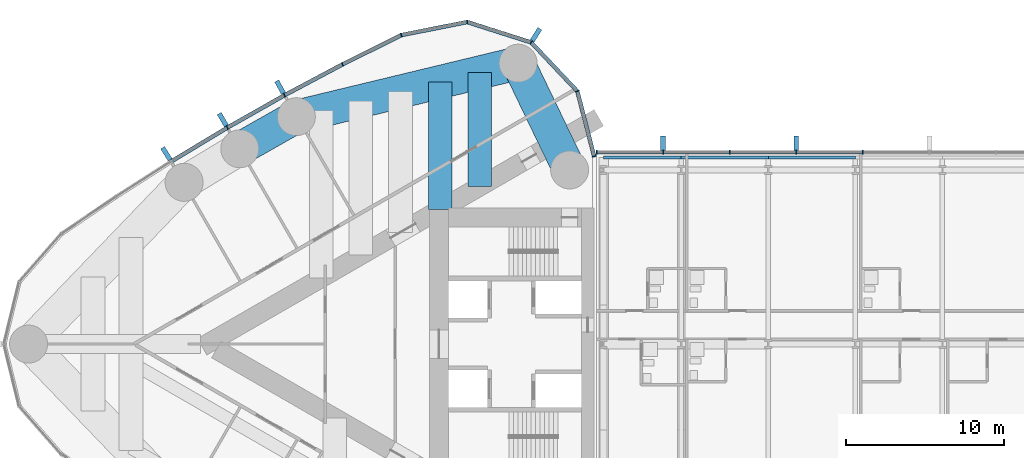
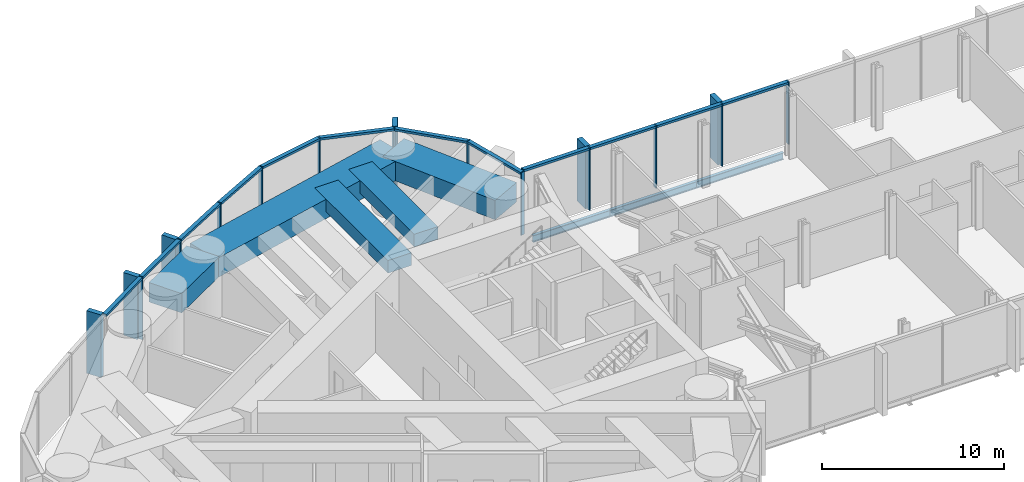
# One storey, part 6 of 23: 31 members, 8 beams, 2 elements without a shape of their own.
"""IFC4 building model written with IfcOpenShell, lengths in metres."""

from ifc_helpers import new_model, si_unit, direction, frame, origin, origin_2d, place, context, subcontext, project, spatial, rectangle, i_section, extrude, material, material_profile, profile_set, type_object, element, aggregate, save


model = new_model("IFC4")

# Units and contexts
model_context = context("Model", 3, precision=1e-05, world=origin(), true_north=direction((0.0, 1.0)))
body_context = subcontext(model_context, "Body", "Model", "MODEL_VIEW")
ifc_project = project(units=[si_unit("LENGTHUNIT", "METRE"), si_unit("AREAUNIT", "SQUARE_METRE"), si_unit("VOLUMEUNIT", "CUBIC_METRE"), si_unit("PLANEANGLEUNIT", "RADIAN"), si_unit("MASSUNIT", "GRAM", prefix="KILO")], contexts=[model_context])

# Site, building, storey
site_placement = place(None, origin())
site = spatial("IfcSite", under=ifc_project, at=site_placement, CompositionType="ELEMENT")
building_placement = place(site_placement, origin())
building = spatial("IfcBuilding", under=site, at=building_placement, Name="Lancet Gate Hotel", CompositionType="ELEMENT")
storey_placement = place(building_placement, frame((0.0, 0.0, 247.699951171875)))
storey = spatial("IfcBuildingStorey", under=building, at=storey_placement, Name="L66", CompositionType="ELEMENT", Elevation=247.699951171875)

# Curtain wall, members
ifc_material_1 = material(Name="Aluminium curtain wall", Category="aluminium")
curtain_wall_type = type_object("IfcCurtainWallType", Name="Sky deck full-height glazing", PredefinedType="USERDEFINED", material=ifc_material_1)
curtain_wall_1_placement = place(storey_placement, origin())
curtain_wall_1 = element("IfcCurtainWall", 1, at=curtain_wall_1_placement, inside=storey, type_object=curtain_wall_type, Name="T1 L66 curtain wall 1", ObjectType="UNITISED CURTAIN WALL", PredefinedType="USERDEFINED")
ifc_material_2 = material(Name="Aluminium mullion", Category="aluminium")
ifc_material_profile_1 = material_profile(ifc_material_2, rectangle(XDim=0.06494140625, YDim=0.25, at=origin_2d()), Name="MULLION 65x250")
ifc_profile_set_1 = profile_set([ifc_material_profile_1], Name="Aluminium mullion")
member_type_1 = type_object("IfcMemberType", Name="Aluminium mullion 65x250", PredefinedType="MULLION", material=ifc_profile_set_1)
member_1_placement = place(storey_placement, frame((-27.5, 11.861572265625, 0.0), z_axis=(0.0, 0.0, 1.0), x_axis=(-0.249725827997, 0.968316586056, 0.0)))
member_1 = element("IfcMember", 2, at=member_1_placement, type_object=member_type_1, Name="T1 L66 curtain wall 1 mullion 1", PredefinedType="MULLION", context=body_context, shape_type="SweptSolid", body=[
    extrude(rectangle(XDim=0.06494140625, YDim=0.25, at=origin_2d()), origin(), (0.0, 0.0, 1.0), 4.199951171875),
])
member_2_placement = place(storey_placement, frame((-28.56005859375, 15.97216796875, 0.0), z_axis=(0.0, 0.0, 1.0), x_axis=(-0.483627322447, 0.875274021654, 0.0)))
member_2 = element("IfcMember", 3, at=member_2_placement, type_object=member_type_1, Name="T1 L66 curtain wall 1 mullion 2", PredefinedType="MULLION", context=body_context, shape_type="SweptSolid", body=[
    extrude(rectangle(XDim=0.06494140625, YDim=0.25, at=origin_2d()), origin(), (0.0, 0.0, 1.0), 4.199951171875),
])
member_3_placement = place(storey_placement, frame((-31.476318359375, 19.0576171875, 0.0), z_axis=(0.0, 0.0, 1.0), x_axis=(-0.846612863, 0.532209225966, 0.0)))
member_3 = element("IfcMember", 4, at=member_3_placement, type_object=member_type_1, Name="T1 L66 curtain wall 1 mullion 3", PredefinedType="MULLION", context=body_context, shape_type="SweptSolid", body=[
    extrude(rectangle(XDim=0.06494140625, YDim=0.25, at=origin_2d()), origin(), (0.0, 0.0, 1.0), 4.199951171875),
])
member_4_placement = place(storey_placement, frame((-35.520751953125, 20.347900390625, 0.0), z_axis=(0.0, 0.0, 1.0), x_axis=(-0.998409168318, 0.056383797491, 0.0)))
member_4 = element("IfcMember", 5, at=member_4_placement, type_object=member_type_1, Name="T1 L66 curtain wall 1 mullion 4", PredefinedType="MULLION", context=body_context, shape_type="SweptSolid", body=[
    extrude(rectangle(XDim=0.06494140625, YDim=0.25, at=origin_2d()), origin(), (0.0, 0.0, 1.0), 4.199951171875),
])
member_5_placement = place(storey_placement, frame((-39.684814453125, 19.521240234375, 0.0), z_axis=(0.0, 0.0, 1.0), x_axis=(-0.946887706423, -0.321564412561, 0.0)))
member_5 = element("IfcMember", 6, at=member_5_placement, type_object=member_type_1, Name="T1 L66 curtain wall 1 mullion 5", PredefinedType="MULLION", context=body_context, shape_type="SweptSolid", body=[
    extrude(rectangle(XDim=0.06494140625, YDim=0.25, at=origin_2d()), origin(), (0.0, 0.0, 1.0), 4.199951171875),
])
member_6_placement = place(storey_placement, frame((-43.3994140625, 17.67236328125, 0.0), z_axis=(0.0, 0.0, 1.0), x_axis=(-0.889155526065, -0.457605125046, 0.0)))
member_6 = element("IfcMember", 7, at=member_6_placement, type_object=member_type_1, Name="T1 L66 curtain wall 1 mullion 6", PredefinedType="MULLION", context=body_context, shape_type="SweptSolid", body=[
    extrude(rectangle(XDim=0.06494140625, YDim=0.25, at=origin_2d()), origin(), (0.0, 0.0, 1.0), 4.199951171875),
])
member_7_placement = place(storey_placement, frame((-47.062744140625, 15.72412109375, 0.0), z_axis=(0.0, 0.0, 1.0), x_axis=(-0.876516407283, -0.481371984815, 0.0)))
member_7 = element("IfcMember", 8, at=member_7_placement, type_object=member_type_1, Name="T1 L66 curtain wall 1 mullion 7", PredefinedType="MULLION", context=body_context, shape_type="SweptSolid", body=[
    extrude(rectangle(XDim=0.06494140625, YDim=0.25, at=origin_2d()), origin(), (0.0, 0.0, 1.0), 4.199951171875),
])
member_8_placement = place(storey_placement, frame((-50.67236328125, 13.677978515625, 0.0), z_axis=(0.0, 0.0, 1.0), x_axis=(-0.863242155108, -0.504790037189, 0.0)))
member_8 = element("IfcMember", 9, at=member_8_placement, type_object=member_type_1, Name="T1 L66 curtain wall 1 mullion 8", PredefinedType="MULLION", context=body_context, shape_type="SweptSolid", body=[
    extrude(rectangle(XDim=0.06494140625, YDim=0.25, at=origin_2d()), origin(), (0.0, 0.0, 1.0), 4.199951171875),
])

curtain_wall_2_placement = place(storey_placement, origin())
curtain_wall_2 = element("IfcCurtainWall", 10, at=curtain_wall_2_placement, inside=storey, type_object=curtain_wall_type, Name="Bridge block L66 curtain wall N", ObjectType="UNITISED CURTAIN WALL", PredefinedType="USERDEFINED")
member_9_placement = place(storey_placement, frame((-10.519287109375, 12.1201171875, 0.0), z_axis=(0.0, 0.0, 1.0), x_axis=(-1.0, 0.0, 0.0)))
member_9 = element("IfcMember", 11, at=member_9_placement, type_object=member_type_1, Name="Bridge block L66 curtain wall N mullion 10", PredefinedType="MULLION", context=body_context, shape_type="SweptSolid", body=[
    extrude(rectangle(XDim=0.06494140625, YDim=0.25, at=origin_2d()), origin(), (0.0, 0.0, 1.0), 4.199951171875),
])
member_10_placement = place(storey_placement, frame((-14.726806640625, 12.1201171875, 0.0), z_axis=(0.0, 0.0, 1.0), x_axis=(-1.0, 0.0, 0.0)))
member_10 = element("IfcMember", 12, at=member_10_placement, type_object=member_type_1, Name="Bridge block L66 curtain wall N mullion 11", PredefinedType="MULLION", context=body_context, shape_type="SweptSolid", body=[
    extrude(rectangle(XDim=0.06494140625, YDim=0.25, at=origin_2d()), origin(), (0.0, 0.0, 1.0), 4.199951171875),
])
member_11_placement = place(storey_placement, frame((-18.9345703125, 12.1201171875, 0.0), z_axis=(0.0, 0.0, 1.0), x_axis=(-1.0, 0.0, 0.0)))
member_11 = element("IfcMember", 13, at=member_11_placement, type_object=member_type_1, Name="Bridge block L66 curtain wall N mullion 12", PredefinedType="MULLION", context=body_context, shape_type="SweptSolid", body=[
    extrude(rectangle(XDim=0.06494140625, YDim=0.25, at=origin_2d()), origin(), (0.0, 0.0, 1.0), 4.199951171875),
])
member_12_placement = place(storey_placement, frame((-23.142333984375, 12.1201171875, 0.0), z_axis=(0.0, 0.0, 1.0), x_axis=(-1.0, 0.0, 0.0)))
member_12 = element("IfcMember", 14, at=member_12_placement, type_object=member_type_1, Name="Bridge block L66 curtain wall N mullion 13", PredefinedType="MULLION", context=body_context, shape_type="SweptSolid", body=[
    extrude(rectangle(XDim=0.06494140625, YDim=0.25, at=origin_2d()), origin(), (0.0, 0.0, 1.0), 4.199951171875),
])
member_13_placement = place(storey_placement, frame((-27.35009765625, 12.1201171875, 0.0), z_axis=(0.0, 0.0, 1.0), x_axis=(-1.0, 0.0, 0.0)))
member_13 = element("IfcMember", 15, at=member_13_placement, type_object=member_type_1, Name="Bridge block L66 curtain wall N mullion 14", PredefinedType="MULLION", context=body_context, shape_type="SweptSolid", body=[
    extrude(rectangle(XDim=0.06494140625, YDim=0.25, at=origin_2d()), origin(), (0.0, 0.0, 1.0), 4.199951171875),
])

# Member
ifc_material_3 = material(Name="Aluminium transom", Category="aluminium")
ifc_material_profile_2 = material_profile(ifc_material_3, rectangle(XDim=0.25, YDim=0.14990234375, at=origin_2d()), Name="TRANSOM 250x150")
ifc_profile_set_2 = profile_set([ifc_material_profile_2], Name="Aluminium transom")
member_type_2 = type_object("IfcMemberType", Name="Aluminium transom 250x150", PredefinedType="USERDEFINED", material=ifc_profile_set_2)
member_14_placement = place(storey_placement, frame((-27.508056640625, 11.892822265625, 4.125), z_axis=(-0.249715522936, 0.968319243641, 0.0), x_axis=(-0.968319243641, -0.249715522936, 0.0)))
member_14 = element("IfcMember", 16, at=member_14_placement, type_object=member_type_2, Name="T1 L66 curtain wall 1 transom 1", ObjectType="TRANSOM", PredefinedType="USERDEFINED", context=body_context, shape_type="SweptSolid", body=[
    extrude(rectangle(XDim=0.25, YDim=0.14990234375, at=origin_2d()), origin(), (0.0, 0.0, 1.0), 4.180419921875),
])

member_15_placement = place(storey_placement, frame((-28.58251953125, 15.995849609375, 4.125), z_axis=(-0.686880731091, 0.726770157103, 0.0), x_axis=(-0.726770157103, -0.686880731091, 0.0)))
member_15 = element("IfcMember", 17, at=member_15_placement, type_object=member_type_2, Name="T1 L66 curtain wall 1 transom 2", ObjectType="TRANSOM", PredefinedType="USERDEFINED", context=body_context, shape_type="SweptSolid", body=[
    extrude(rectangle(XDim=0.25, YDim=0.14990234375, at=origin_2d()), origin(), (0.0, 0.0, 1.0), 4.18017578125),
])

member_16_placement = place(storey_placement, frame((-31.507080078125, 19.067626953125, 4.125), z_axis=(-0.952697713775, 0.303919506068, 0.0), x_axis=(-0.303919506068, -0.952697713775, 0.0)))
member_16 = element("IfcMember", 18, at=member_16_placement, type_object=member_type_2, Name="T1 L66 curtain wall 1 transom 3", ObjectType="TRANSOM", PredefinedType="USERDEFINED", context=body_context, shape_type="SweptSolid", body=[
    extrude(rectangle(XDim=0.25, YDim=0.14990234375, at=origin_2d()), origin(), (0.0, 0.0, 1.0), 4.180419921875),
])

member_17_placement = place(storey_placement, frame((-35.552734375, 20.341552734375, 4.125), z_axis=(-0.980858234867, -0.194723196085, 0.0), x_axis=(0.194723196085, -0.980858234867, 0.0)))
member_17 = element("IfcMember", 19, at=member_17_placement, type_object=member_type_2, Name="T1 L66 curtain wall 1 transom 4", ObjectType="TRANSOM", PredefinedType="USERDEFINED", context=body_context, shape_type="SweptSolid", body=[
    extrude(rectangle(XDim=0.25, YDim=0.14990234375, at=origin_2d()), origin(), (0.0, 0.0, 1.0), 4.18017578125),
])

member_18_placement = place(storey_placement, frame((-39.7138671875, 19.5068359375, 4.125), z_axis=(-0.895226720479, -0.445610950202, 0.0), x_axis=(0.445610950202, -0.895226720479, 0.0)))
member_18 = element("IfcMember", 20, at=member_18_placement, type_object=member_type_2, Name="T1 L66 curtain wall 1 transom 5", ObjectType="TRANSOM", PredefinedType="USERDEFINED", context=body_context, shape_type="SweptSolid", body=[
    extrude(rectangle(XDim=0.25, YDim=0.14990234375, at=origin_2d()), origin(), (0.0, 0.0, 1.0), 4.08447265625),
])

member_19_placement = place(storey_placement, frame((-43.427978515625, 17.656982421875, 4.125), z_axis=(-0.882944619844, -0.469477154171, 0.0), x_axis=(0.469477154171, -0.882944619844, 0.0)))
member_19 = element("IfcMember", 21, at=member_19_placement, type_object=member_type_2, Name="T1 L66 curtain wall 1 transom 6", ObjectType="TRANSOM", PredefinedType="USERDEFINED", context=body_context, shape_type="SweptSolid", body=[
    extrude(rectangle(XDim=0.25, YDim=0.14990234375, at=origin_2d()), origin(), (0.0, 0.0, 1.0), 4.084228515625),
])

member_20_placement = place(storey_placement, frame((-47.091064453125, 15.7080078125, 4.125), z_axis=(-0.869977740049, -0.493090997503, 0.0), x_axis=(0.493090997503, -0.869977740049, 0.0)))
member_20 = element("IfcMember", 22, at=member_20_placement, type_object=member_type_2, Name="T1 L66 curtain wall 1 transom 7", ObjectType="TRANSOM", PredefinedType="USERDEFINED", context=body_context, shape_type="SweptSolid", body=[
    extrude(rectangle(XDim=0.25, YDim=0.14990234375, at=origin_2d()), origin(), (0.0, 0.0, 1.0), 4.084228515625),
])

member_21_placement = place(storey_placement, frame((-50.7001953125, 13.661376953125, 4.125), z_axis=(-0.856362214892, -0.516375596737, 0.0), x_axis=(0.516375596737, -0.856362214892, 0.0)))
member_21 = element("IfcMember", 23, at=member_21_placement, type_object=member_type_2, Name="T1 L66 curtain wall 1 transom 8", ObjectType="TRANSOM", PredefinedType="USERDEFINED", context=body_context, shape_type="SweptSolid", body=[
    extrude(rectangle(XDim=0.25, YDim=0.14990234375, at=origin_2d()), origin(), (0.0, 0.0, 1.0), 4.08447265625),
])

member_22_placement = place(storey_placement, frame((-10.5517578125, 12.1201171875, 4.125), z_axis=(-1.0, 0.0, 0.0), x_axis=(0.0, -1.0, 0.0)))
member_22 = element("IfcMember", 24, at=member_22_placement, type_object=member_type_2, Name="Bridge block L66 curtain wall N transom 10", ObjectType="TRANSOM", PredefinedType="USERDEFINED", context=body_context, shape_type="SweptSolid", body=[
    extrude(rectangle(XDim=0.25, YDim=0.14990234375, at=origin_2d()), origin(), (0.0, 0.0, 1.0), 4.142578125),
])

member_23_placement = place(storey_placement, frame((-14.759521484375, 12.1201171875, 4.125), z_axis=(-1.0, 0.0, 0.0), x_axis=(0.0, -1.0, 0.0)))
member_23 = element("IfcMember", 25, at=member_23_placement, type_object=member_type_2, Name="Bridge block L66 curtain wall N transom 11", ObjectType="TRANSOM", PredefinedType="USERDEFINED", context=body_context, shape_type="SweptSolid", body=[
    extrude(rectangle(XDim=0.25, YDim=0.14990234375, at=origin_2d()), origin(), (0.0, 0.0, 1.0), 4.142578125),
])

member_24_placement = place(storey_placement, frame((-18.967041015625, 12.1201171875, 4.125), z_axis=(-1.0, 0.0, 0.0), x_axis=(0.0, -1.0, 0.0)))
member_24 = element("IfcMember", 26, at=member_24_placement, type_object=member_type_2, Name="Bridge block L66 curtain wall N transom 12", ObjectType="TRANSOM", PredefinedType="USERDEFINED", context=body_context, shape_type="SweptSolid", body=[
    extrude(rectangle(XDim=0.25, YDim=0.14990234375, at=origin_2d()), origin(), (0.0, 0.0, 1.0), 4.142822265625),
])

member_25_placement = place(storey_placement, frame((-23.1748046875, 12.1201171875, 4.125), z_axis=(-1.0, 0.0, 0.0), x_axis=(0.0, -1.0, 0.0)))
member_25 = element("IfcMember", 27, at=member_25_placement, type_object=member_type_2, Name="Bridge block L66 curtain wall N transom 13", ObjectType="TRANSOM", PredefinedType="USERDEFINED", context=body_context, shape_type="SweptSolid", body=[
    extrude(rectangle(XDim=0.25, YDim=0.14990234375, at=origin_2d()), origin(), (0.0, 0.0, 1.0), 4.142578125),
])

# Beams
ifc_material_4 = material(Name="Steel S355", Category="steel")
ifc_material_profile_3 = material_profile(ifc_material_4, i_section(OverallWidth=0.19140625, OverallDepth=0.4599609375, WebThickness=0.010009765625, FlangeThickness=0.01611328125, FilletRadius=0.01025390625, at=origin_2d()), Name="UKB 457x191x82")
ifc_profile_set_3 = profile_set([ifc_material_profile_3], Name="Steel S355")
beam_type_1 = type_object("IfcBeamType", Name="Block edge beam UKB 457x191x82", PredefinedType="SPANDREL", material=ifc_profile_set_3)
beam_1_placement = place(storey_placement, frame((-26.89990234375, 11.800048828125, -0.429931640625), z_axis=(1.0, 0.0, 0.0), x_axis=(0.0, 1.0, 0.0)))
element("IfcBeam", 28, at=beam_1_placement, inside=storey, type_object=beam_type_1, Name="Block edge beam N 0-1 L66", PredefinedType="SPANDREL", context=body_context, shape_type="SweptSolid", body=[
    extrude(i_section(OverallWidth=0.19140625, OverallDepth=0.4599609375, WebThickness=0.010009765625, FlangeThickness=0.01611328125, FilletRadius=0.01025390625, at=origin_2d()), origin(), (0.0, 0.0, 1.0), 4.89990234375),
])
for number, where, z_axis, x_axis, name in (
    (29, (-22.0, 11.800048828125, -0.429931640625), (1.0, 0.0, 0.0), (0.0, 1.0, 0.0), "Block edge beam N 1-2 L66"),
    (30, (-16.5, 11.800048828125, -0.429931640625), (1.0, 0.0, 0.0), (0.0, 1.0, 0.0), "Block edge beam N 2-3 L66"),
):
    element("IfcBeam", number, at=place(storey_placement, frame(where, z_axis=z_axis, x_axis=x_axis)), inside=storey, type_object=beam_type_1, Name=name, PredefinedType="SPANDREL", context=body_context, shape_type="SweptSolid", body=[
        extrude(i_section(OverallWidth=0.19140625, OverallDepth=0.4599609375, WebThickness=0.010009765625, FlangeThickness=0.01611328125, FilletRadius=0.01025390625, at=origin_2d()), origin(), (0.0, 0.0, 1.0), 5.5),
    ])
ifc_material_5 = material(Name="Concrete C50/60", Category="concrete")
ifc_material_profile_4 = material_profile(ifc_material_5, rectangle(XDim=2.10009765625, YDim=1.300048828125, at=origin_2d()), Name="RC 2100x1300")
ifc_profile_set_4 = profile_set([ifc_material_profile_4], Name="Concrete C50/60")
beam_type_2 = type_object("IfcBeamType", Name="Edge beam RC 2100x1300", PredefinedType="SPANDREL", material=ifc_profile_set_4)
beam_2_placement = place(storey_placement, frame((-32.301025390625, 17.745361328125, 3.300048828125), z_axis=(-0.972132796948, -0.234430853556, 0.0), x_axis=(0.234430853556, -0.972132796948, 0.0)))
element("IfcBeam", 31, at=beam_2_placement, inside=storey, type_object=beam_type_2, Name="T1 edge beam EB1 L66", PredefinedType="SPANDREL", context=body_context, shape_type="SweptSolid", body=[
    extrude(rectangle(XDim=2.10009765625, YDim=1.300048828125, at=origin_2d()), origin(), (0.0, 0.0, 1.0), 14.41748046875),
])
beam_3_placement = place(storey_placement, frame((-46.316650390625, 14.365478515625, 3.300048828125), z_axis=(-0.869978841992, -0.493089053301, 0.0), x_axis=(0.493089053301, -0.869978841992, 0.0)))
element("IfcBeam", 32, at=beam_3_placement, inside=storey, type_object=beam_type_2, Name="T1 edge beam EB1 L66", PredefinedType="SPANDREL", context=body_context, shape_type="SweptSolid", body=[
    extrude(rectangle(XDim=2.10009765625, YDim=1.300048828125, at=origin_2d()), origin(), (0.0, 0.0, 1.0), 4.107666015625),
])
beam_4_placement = place(storey_placement, frame((-32.301025390625, 17.745361328125, 3.300048828125), z_axis=(0.434163599361, -0.900834040759, 0.0), x_axis=(0.900834040759, 0.434163599361, 0.0)))
element("IfcBeam", 33, at=beam_4_placement, inside=storey, type_object=beam_type_2, Name="T1 edge beam EB1 L66", PredefinedType="SPANDREL", context=body_context, shape_type="SweptSolid", body=[
    extrude(rectangle(XDim=2.10009765625, YDim=1.300048828125, at=origin_2d()), origin(), (0.0, 0.0, 1.0), 7.48779296875),
])

# Member
ifc_material_6 = material(Name="Precast concrete C50/60", Category="concrete")
ifc_material_profile_5 = material_profile(ifc_material_6, rectangle(XDim=0.300048828125, YDim=0.89990234375, at=origin_2d()), Name="FIN 300x900")
ifc_profile_set_5 = profile_set([ifc_material_profile_5], Name="Precast concrete C50/60")
member_type_3 = type_object("IfcMemberType", Name="Exposed concrete fin 300x900", PredefinedType="USERDEFINED", material=ifc_profile_set_5)
member_26_placement = place(storey_placement, frame((-31.170166015625, 19.54443359375, 0.0), z_axis=(0.0, 0.0, 1.0), x_axis=(-0.846612863, 0.532209225966, 0.0)))
member_26 = element("IfcMember", 34, at=member_26_placement, type_object=member_type_3, Name="T1 L66 curtain wall 1 fin 3", ObjectType="FIN", PredefinedType="USERDEFINED", context=body_context, shape_type="SweptSolid", body=[
    extrude(rectangle(XDim=0.300048828125, YDim=0.89990234375, at=origin_2d()), origin(), (0.0, 0.0, 1.0), 4.199951171875),
])

member_27_placement = place(storey_placement, frame((-47.339599609375, 16.22802734375, 0.0), z_axis=(0.0, 0.0, 1.0), x_axis=(-0.876516407283, -0.481371984815, 0.0)))
member_27 = element("IfcMember", 35, at=member_27_placement, type_object=member_type_3, Name="T1 L66 curtain wall 1 fin 7", ObjectType="FIN", PredefinedType="USERDEFINED", context=body_context, shape_type="SweptSolid", body=[
    extrude(rectangle(XDim=0.300048828125, YDim=0.89990234375, at=origin_2d()), origin(), (0.0, 0.0, 1.0), 4.199951171875),
])

member_28_placement = place(storey_placement, frame((-50.962646484375, 14.17431640625, 0.0), z_axis=(0.0, 0.0, 1.0), x_axis=(-0.863242155108, -0.504790037189, 0.0)))
member_28 = element("IfcMember", 36, at=member_28_placement, type_object=member_type_3, Name="T1 L66 curtain wall 1 fin 8", ObjectType="FIN", PredefinedType="USERDEFINED", context=body_context, shape_type="SweptSolid", body=[
    extrude(rectangle(XDim=0.300048828125, YDim=0.89990234375, at=origin_2d()), origin(), (0.0, 0.0, 1.0), 4.199951171875),
])

member_29_placement = place(storey_placement, frame((-54.529296875, 12.02392578125, 0.0), z_axis=(0.0, 0.0, 1.0), x_axis=(-0.849342388216, -0.527842313176, 0.0)))
member_29 = element("IfcMember", 37, at=member_29_placement, type_object=member_type_3, Name="T1 L66 curtain wall 1 fin 9", ObjectType="FIN", PredefinedType="USERDEFINED", context=body_context, shape_type="SweptSolid", body=[
    extrude(rectangle(XDim=0.300048828125, YDim=0.89990234375, at=origin_2d()), origin(), (0.0, 0.0, 1.0), 4.199951171875),
])

aggregate(curtain_wall_1, [member_1, member_2, member_3, member_26, member_4, member_5, member_6, member_7, member_27, member_8, member_28, member_29, member_14, member_15, member_16, member_17, member_18, member_19, member_20, member_21])

member_30_placement = place(storey_placement, frame((-14.726806640625, 12.695068359375, 0.0), z_axis=(0.0, 0.0, 1.0), x_axis=(-1.0, 0.0, 0.0)))
member_30 = element("IfcMember", 38, at=member_30_placement, type_object=member_type_3, Name="Bridge block L66 curtain wall N fin 11", ObjectType="FIN", PredefinedType="USERDEFINED", context=body_context, shape_type="SweptSolid", body=[
    extrude(rectangle(XDim=0.300048828125, YDim=0.89990234375, at=origin_2d()), origin(), (0.0, 0.0, 1.0), 4.199951171875),
])

member_31_placement = place(storey_placement, frame((-23.142333984375, 12.695068359375, 0.0), z_axis=(0.0, 0.0, 1.0), x_axis=(-1.0, 0.0, 0.0)))
member_31 = element("IfcMember", 39, at=member_31_placement, type_object=member_type_3, Name="Bridge block L66 curtain wall N fin 13", ObjectType="FIN", PredefinedType="USERDEFINED", context=body_context, shape_type="SweptSolid", body=[
    extrude(rectangle(XDim=0.300048828125, YDim=0.89990234375, at=origin_2d()), origin(), (0.0, 0.0, 1.0), 4.199951171875),
])

aggregate(curtain_wall_2, [member_9, member_10, member_30, member_11, member_12, member_31, member_13, member_22, member_23, member_24, member_25])

# Beams
ifc_material_7 = material(Name="Concrete C50/60", Category="concrete")
ifc_material_profile_6 = material_profile(ifc_material_7, rectangle(XDim=1.5, YDim=0.85009765625, at=origin_2d()), Name="RC 1500x850")
ifc_profile_set_6 = profile_set([ifc_material_profile_6], Name="Concrete C50/60")
beam_type_3 = type_object("IfcBeamType", Name="Floor beam RC 1500x850", PredefinedType="BEAM", material=ifc_profile_set_6)
beam_5_placement = place(storey_placement, frame((-34.720458984375, 17.161865234375, 3.525146484375), z_axis=(0.0, -1.0, 0.0), x_axis=(1.0, 0.0, 0.0)))
element("IfcBeam", 40, at=beam_5_placement, inside=storey, type_object=beam_type_3, Name="T1 floor beam F02S L66", PredefinedType="BEAM", context=body_context, shape_type="SweptSolid", body=[
    extrude(rectangle(XDim=1.5, YDim=0.85009765625, at=origin_2d()), origin(), (0.0, 0.0, 1.0), 7.203857421875),
])
beam_6_placement = place(storey_placement, frame((-37.227294921875, 16.557373046875, 3.525146484375), z_axis=(0.0, -1.0, 0.0), x_axis=(1.0, 0.0, 0.0)))
element("IfcBeam", 41, at=beam_6_placement, inside=storey, type_object=beam_type_3, Name="T1 floor beam F03S L66", PredefinedType="BEAM", context=body_context, shape_type="SweptSolid", body=[
    extrude(rectangle(XDim=1.5, YDim=0.85009765625, at=origin_2d()), origin(), (0.0, 0.0, 1.0), 8.046630859375),
])

save(model, "model.ifc")
